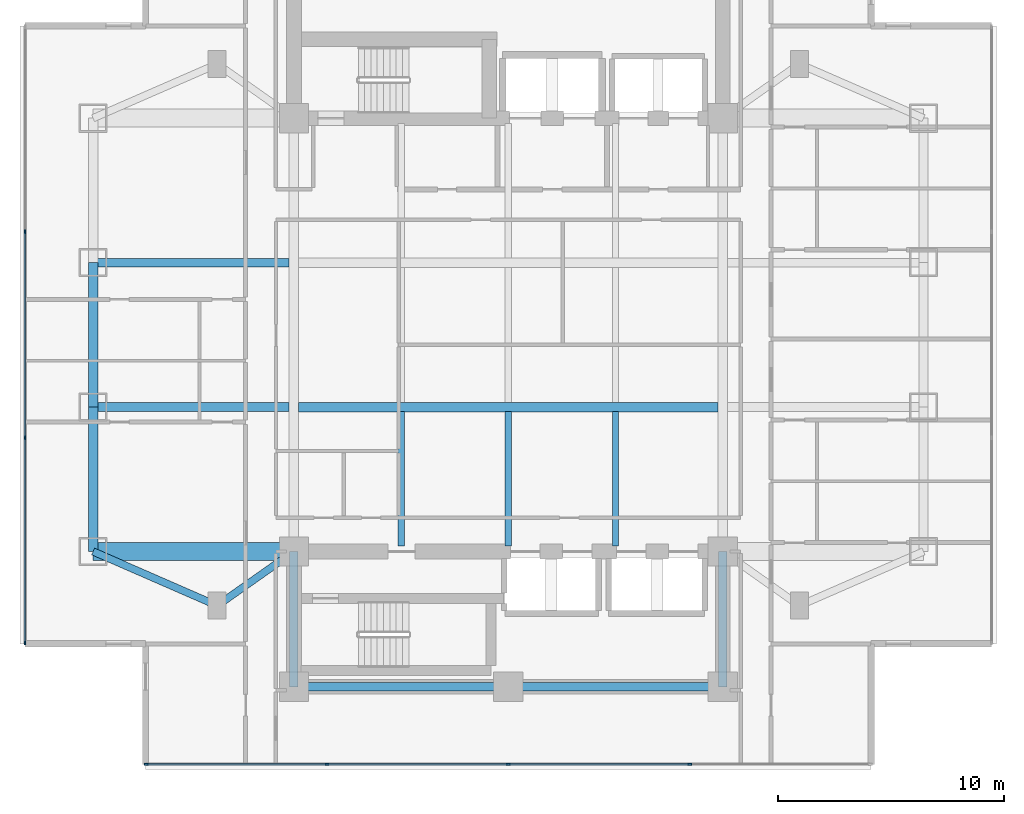
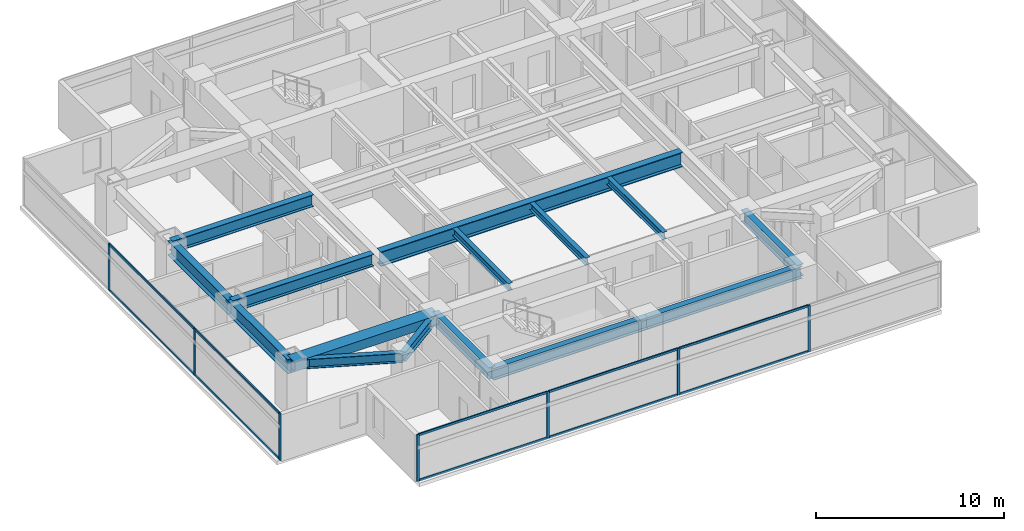
# One storey, part 2 of 24: 17 members, 15 beams, 2 elements without a shape of their own.
"""IFC4 building model written with IfcOpenShell, lengths in metres."""

from ifc_helpers import new_model, si_unit, direction, frame, origin, origin_2d, place, context, subcontext, project, spatial, rectangle, i_section, extrude, material, material_profile, profile_set, type_object, element, aggregate, save


model = new_model("IFC4")

# Units and contexts
model_context = context("Model", 3, precision=1e-05, world=origin(), true_north=direction((0.0, 1.0)))
body_context = subcontext(model_context, "Body", "Model", "MODEL_VIEW")
ifc_project = project(units=[si_unit("LENGTHUNIT", "METRE"), si_unit("AREAUNIT", "SQUARE_METRE"), si_unit("VOLUMEUNIT", "CUBIC_METRE"), si_unit("PLANEANGLEUNIT", "RADIAN"), si_unit("MASSUNIT", "GRAM", prefix="KILO")], contexts=[model_context])

# Site, building, storey
site_placement = place(None, origin())
site = spatial("IfcSite", under=ifc_project, at=site_placement, CompositionType="ELEMENT")
building_placement = place(site_placement, origin())
building = spatial("IfcBuilding", under=site, at=building_placement, Name="Mirazonda Arch Towers", CompositionType="ELEMENT")
storey_placement = place(building_placement, frame((0.0, 0.0, 62.0)))
storey = spatial("IfcBuildingStorey", under=building, at=storey_placement, Name="L17", CompositionType="ELEMENT", Elevation=62.0)

# Beams
ifc_material_1 = material(Name="Steel ASTM A992 Grade 50", Category="steel")
ifc_material_profile_1 = material_profile(ifc_material_1, i_section(OverallWidth=0.41796875, OverallDepth=0.927001953125, WebThickness=0.019287109375, FlangeThickness=0.031982421875, at=origin_2d()), Name="W36X231")
ifc_profile_set_1 = profile_set([ifc_material_profile_1], Name="Steel ASTM A992 Grade 50")
beam_type_1 = type_object("IfcBeamType", Name="BM-EXT-W36X231", PredefinedType="USERDEFINED", material=ifc_profile_set_1)
beam_1_placement = place(storey_placement, frame((2.10009765625, 18.39990234375, 2.596435546875), z_axis=(0.0, 1.0, 0.0), x_axis=(-1.0, 0.0, 0.0)))
element("IfcBeam", 1, at=beam_1_placement, inside=storey, type_object=beam_type_1, Name="L17 Floor Beam BM-T1-L17-NS-W-18", ObjectType="GIRDER", PredefinedType="USERDEFINED", context=body_context, shape_type="SweptSolid", body=[
    extrude(i_section(OverallWidth=0.41796875, OverallDepth=0.927001953125, WebThickness=0.019287109375, FlangeThickness=0.031982421875, at=origin_2d()), origin(), (0.0, 0.0, 1.0), 6.400146484375),
])
beam_2_placement = place(storey_placement, frame((2.10009765625, 24.800048828125, 2.596435546875), z_axis=(0.0, 1.0, 0.0), x_axis=(-1.0, 0.0, 0.0)))
element("IfcBeam", 2, at=beam_2_placement, inside=storey, type_object=beam_type_1, Name="L17 Floor Beam BM-T1-L17-NS-W-24", ObjectType="GIRDER", PredefinedType="USERDEFINED", context=body_context, shape_type="SweptSolid", body=[
    extrude(i_section(OverallWidth=0.41796875, OverallDepth=0.927001953125, WebThickness=0.019287109375, FlangeThickness=0.031982421875, at=origin_2d()), origin(), (0.0, 0.0, 1.0), 6.39990234375),
])
ifc_material_profile_2 = material_profile(ifc_material_1, i_section(OverallWidth=0.280029296875, OverallDepth=0.462890625, WebThickness=0.0107421875, FlangeThickness=0.017333984375, at=origin_2d()), Name="W18X76")
ifc_profile_set_2 = profile_set([ifc_material_profile_2], Name="Steel ASTM A992 Grade 50")
beam_type_2 = type_object("IfcBeamType", Name="BM-INT-W18X76", PredefinedType="JOIST", material=ifc_profile_set_2)
for number, where, z_axis, x_axis, name in (
    (3, (15.75, 18.639892578125, 2.82861328125), (0.0, 1.0, 0.0), (-1.0, 0.0, 0.0), "L17 Floor Beam BM-T1-L17-J-157-18"),
    (4, (20.5, 18.639892578125, 2.82861328125), (0.0, 1.0, 0.0), (-1.0, 0.0, 0.0), "L17 Floor Beam BM-T1-L17-J-205-18"),
    (5, (25.25, 18.639892578125, 2.82861328125), (0.0, 1.0, 0.0), (-1.0, 0.0, 0.0), "L17 Floor Beam BM-T1-L17-J-252-18"),
):
    element("IfcBeam", number, at=place(storey_placement, frame(where, z_axis=z_axis, x_axis=x_axis)), inside=storey, type_object=beam_type_2, Name=name, PredefinedType="JOIST", context=body_context, shape_type="SweptSolid", body=[
        extrude(i_section(OverallWidth=0.280029296875, OverallDepth=0.462890625, WebThickness=0.0107421875, FlangeThickness=0.017333984375, at=origin_2d()), origin(), (0.0, 0.0, 1.0), 5.95263671875),
    ])
ifc_material_profile_3 = material_profile(ifc_material_1, i_section(OverallWidth=0.324951171875, OverallDepth=0.615966796875, WebThickness=0.013916015625, FlangeThickness=0.021484375, at=origin_2d()), Name="W24X117")
ifc_profile_set_3 = profile_set([ifc_material_profile_3], Name="Steel ASTM A992 Grade 50")
beam_type_3 = type_object("IfcBeamType", Name="BM-INT-W24X117", PredefinedType="BEAM", material=ifc_profile_set_3)
beam_3_placement = place(storey_placement, frame((7.60009765625, 16.0, 2.751953125), z_axis=(0.816971114901, 0.576678591087, 0.0), x_axis=(-0.576678591087, 0.816971114901, 0.0)))
element("IfcBeam", 6, at=beam_3_placement, inside=storey, type_object=beam_type_3, Name="L17 Floor Beam BM-T1-L17-PL-SW1", PredefinedType="BEAM", context=body_context, shape_type="SweptSolid", body=[
    extrude(i_section(OverallWidth=0.324951171875, OverallDepth=0.615966796875, WebThickness=0.013916015625, FlangeThickness=0.021484375, at=origin_2d()), origin(), (0.0, 0.0, 1.0), 4.16162109375),
])
beam_4_placement = place(storey_placement, frame((7.60009765625, 16.0, 2.751953125), z_axis=(-0.916545343703, 0.399930785183, 0.0), x_axis=(-0.399930785183, -0.916545343703, 0.0)))
element("IfcBeam", 7, at=beam_4_placement, inside=storey, type_object=beam_type_3, Name="L17 Floor Beam BM-T1-L17-PL-SW2", PredefinedType="BEAM", context=body_context, shape_type="SweptSolid", body=[
    extrude(i_section(OverallWidth=0.324951171875, OverallDepth=0.615966796875, WebThickness=0.013916015625, FlangeThickness=0.021484375, at=origin_2d()), origin(), (0.0, 0.0, 1.0), 6.000732421875),
])
ifc_material_profile_4 = material_profile(ifc_material_1, i_section(OverallWidth=0.381103515625, OverallDepth=0.77294921875, WebThickness=0.0166015625, FlangeThickness=0.027099609375, at=origin_2d()), Name="W30X173")
ifc_profile_set_4 = profile_set([ifc_material_profile_4], Name="Steel ASTM A992 Grade 50")
beam_type_4 = type_object("IfcBeamType", Name="BM-INT-W30X173", PredefinedType="USERDEFINED", material=ifc_profile_set_4)
for number, where, z_axis, x_axis, name in (
    (8, (2.10009765625, 24.800048828125, 2.673583984375), (1.0, 0.0, 0.0), (0.0, 1.0, 0.0), "L17 Floor Beam BM-T1-L17-GW2"),
    (9, (2.10009765625, 31.199951171875, 2.673583984375), (1.0, 0.0, 0.0), (0.0, 1.0, 0.0), "L17 Floor Beam BM-T1-L17-GW3"),
):
    element("IfcBeam", number, at=place(storey_placement, frame(where, z_axis=z_axis, x_axis=x_axis)), inside=storey, type_object=beam_type_4, Name=name, ObjectType="GIRDER", PredefinedType="USERDEFINED", context=body_context, shape_type="SweptSolid", body=[
        extrude(i_section(OverallWidth=0.381103515625, OverallDepth=0.77294921875, WebThickness=0.0166015625, FlangeThickness=0.027099609375, at=origin_2d()), origin(), (0.0, 0.0, 1.0), 8.6884765625),
    ])
for number, where, z_axis, x_axis, name in (
    (10, (11.0, 12.39990234375, 2.673583984375), (1.0, 0.0, 0.0), (0.0, 1.0, 0.0), "L17 Floor Beam BM-T1-L17-CS1"),
    (11, (20.5, 12.39990234375, 2.673583984375), (1.0, 0.0, 0.0), (0.0, 1.0, 0.0), "L17 Floor Beam BM-T1-L17-CS2"),
):
    element("IfcBeam", number, at=place(storey_placement, frame(where, z_axis=z_axis, x_axis=x_axis)), inside=storey, type_object=beam_type_4, Name=name, ObjectType="GIRDER", PredefinedType="USERDEFINED", context=body_context, shape_type="SweptSolid", body=[
        extrude(i_section(OverallWidth=0.381103515625, OverallDepth=0.77294921875, WebThickness=0.0166015625, FlangeThickness=0.027099609375, at=origin_2d()), origin(), (0.0, 0.0, 1.0), 9.5),
    ])
for number, where, z_axis, x_axis, name in (
    (12, (11.0, 12.39990234375, 2.673583984375), (0.0, 1.0, 0.0), (-1.0, 0.0, 0.0), "L17 Floor Beam BM-T1-L17-CSW"),
    (13, (30.0, 12.39990234375, 2.673583984375), (0.0, 1.0, 0.0), (-1.0, 0.0, 0.0), "L17 Floor Beam BM-T1-L17-CSE"),
):
    element("IfcBeam", number, at=place(storey_placement, frame(where, z_axis=z_axis, x_axis=x_axis)), inside=storey, type_object=beam_type_4, Name=name, ObjectType="GIRDER", PredefinedType="USERDEFINED", context=body_context, shape_type="SweptSolid", body=[
        extrude(i_section(OverallWidth=0.381103515625, OverallDepth=0.77294921875, WebThickness=0.0166015625, FlangeThickness=0.027099609375, at=origin_2d()), origin(), (0.0, 0.0, 1.0), 6.0),
    ])
ifc_material_profile_5 = material_profile(ifc_material_1, i_section(OverallWidth=0.423095703125, OverallDepth=0.947998046875, WebThickness=0.02392578125, FlangeThickness=0.042724609375, at=origin_2d()), Name="W36X302")
ifc_profile_set_5 = profile_set([ifc_material_profile_5], Name="Steel ASTM A992 Grade 50")
beam_type_5 = type_object("IfcBeamType", Name="BM-INT-W36X302", PredefinedType="USERDEFINED", material=ifc_profile_set_5)
beam_5_placement = place(storey_placement, frame((11.21142578125, 24.800048828125, 2.5859375), z_axis=(1.0, 0.0, 0.0), x_axis=(0.0, 1.0, 0.0)))
element("IfcBeam", 14, at=beam_5_placement, inside=storey, type_object=beam_type_5, Name="L17 Floor Beam BM-T1-L17-GC2", ObjectType="GIRDER", PredefinedType="USERDEFINED", context=body_context, shape_type="SweptSolid", body=[
    extrude(i_section(OverallWidth=0.423095703125, OverallDepth=0.947998046875, WebThickness=0.02392578125, FlangeThickness=0.042724609375, at=origin_2d()), origin(), (0.0, 0.0, 1.0), 18.5771484375),
])
ifc_material_2 = material(Name="Concrete C60/75", Category="concrete")
ifc_material_profile_6 = material_profile(ifc_material_2, rectangle(XDim=0.800048828125, YDim=0.60009765625, at=origin_2d()), Name="RCCB800x600")
ifc_profile_set_6 = profile_set([ifc_material_profile_6], Name="Concrete C60/75")
beam_type_6 = type_object("IfcBeamType", Name="CB-INT-RCCB800x600", PredefinedType="SPANDREL", material=ifc_profile_set_6)
beam_6_placement = place(storey_placement, frame((2.10009765625, 18.39990234375, 2.760009765625), z_axis=(1.0, 0.0, 0.0), x_axis=(0.0, 1.0, 0.0)))
element("IfcBeam", 15, at=beam_6_placement, inside=storey, type_object=beam_type_6, Name="L17 Floor Beam CBC-T1-L17-SW", PredefinedType="SPANDREL", context=body_context, shape_type="SweptSolid", body=[
    extrude(rectangle(XDim=0.800048828125, YDim=0.60009765625, at=origin_2d()), origin(), (0.0, 0.0, 1.0), 8.89990234375),
])

# Curtain wall, members
ifc_material_3 = material(Name="Anodised Aluminium and Low-E Glass", Category="aluminium")
curtain_wall_type = type_object("IfcCurtainWallType", Name="CW-HTL-UNIT", PredefinedType="NOTDEFINED", material=ifc_material_3)
curtain_wall_1_placement = place(storey_placement, origin())
curtain_wall_1 = element("IfcCurtainWall", 16, at=curtain_wall_1_placement, inside=storey, type_object=curtain_wall_type, Name="L17 T1 S Facade CW-L17-T1-S", PredefinedType="NOTDEFINED")
ifc_material_4 = material(Name="Anodised Aluminium Alloy", Category="aluminium")
ifc_material_profile_7 = material_profile(ifc_material_4, rectangle(XDim=0.074951171875, YDim=0.1650390625, at=origin_2d()), Name="ALU-MULL-75x165")
ifc_profile_set_7 = profile_set([ifc_material_profile_7], Name="Anodised Aluminium Alloy")
member_type_1 = type_object("IfcMemberType", Name="MULL-CW-HTL-UNIT", PredefinedType="MULLION", material=ifc_profile_set_7)
member_1_placement = place(storey_placement, frame((28.5400390625, 8.966064453125, 0.0), z_axis=(0.0, 0.0, 1.0), x_axis=(0.0, -1.0, 0.0)))
member_1 = element("IfcMember", 17, at=member_1_placement, type_object=member_type_1, Name="CW-112 mullion 2", PredefinedType="MULLION", context=body_context, shape_type="SweptSolid", body=[
    extrude(rectangle(XDim=0.074951171875, YDim=0.1650390625, at=origin_2d()), origin(), (0.0, 0.0, 1.0), 3.0400390625),
])
member_2_placement = place(storey_placement, frame((20.5, 8.966064453125, 0.0), z_axis=(0.0, 0.0, 1.0), x_axis=(0.0, -1.0, 0.0)))
member_2 = element("IfcMember", 18, at=member_2_placement, type_object=member_type_1, Name="CW-112 mullion 3", PredefinedType="MULLION", context=body_context, shape_type="SweptSolid", body=[
    extrude(rectangle(XDim=0.074951171875, YDim=0.1650390625, at=origin_2d()), origin(), (0.0, 0.0, 1.0), 3.0400390625),
])
member_3_placement = place(storey_placement, frame((12.4599609375, 8.966064453125, 0.0), z_axis=(0.0, 0.0, 1.0), x_axis=(0.0, -1.0, 0.0)))
member_3 = element("IfcMember", 19, at=member_3_placement, type_object=member_type_1, Name="CW-112 mullion 4", PredefinedType="MULLION", context=body_context, shape_type="SweptSolid", body=[
    extrude(rectangle(XDim=0.074951171875, YDim=0.1650390625, at=origin_2d()), origin(), (0.0, 0.0, 1.0), 3.0400390625),
])
member_4_placement = place(storey_placement, frame((4.45751953125, 8.966064453125, 0.0), z_axis=(0.0, 0.0, 1.0), x_axis=(0.0, -1.0, 0.0)))
member_4 = element("IfcMember", 20, at=member_4_placement, type_object=member_type_1, Name="CW-112 mullion 5", PredefinedType="MULLION", context=body_context, shape_type="SweptSolid", body=[
    extrude(rectangle(XDim=0.074951171875, YDim=0.1650390625, at=origin_2d()), origin(), (0.0, 0.0, 1.0), 3.0400390625),
])

curtain_wall_2_placement = place(storey_placement, origin())
curtain_wall_2 = element("IfcCurtainWall", 21, at=curtain_wall_2_placement, inside=storey, type_object=curtain_wall_type, Name="L17 T1 W Facade CW-L17-T1-W", PredefinedType="NOTDEFINED")
member_5_placement = place(storey_placement, frame((-0.919921875, 32.564697265625, 0.0), z_axis=(0.0, 0.0, 1.0), x_axis=(1.0, 0.0, 0.0)))
member_5 = element("IfcMember", 22, at=member_5_placement, type_object=member_type_1, Name="CW-112 mullion 2", PredefinedType="MULLION", context=body_context, shape_type="SweptSolid", body=[
    extrude(rectangle(XDim=0.074951171875, YDim=0.1650390625, at=origin_2d()), origin(), (0.0, 0.0, 1.0), 3.0400390625),
])
member_6_placement = place(storey_placement, frame((-0.919921875, 23.435302734375, 0.0), z_axis=(0.0, 0.0, 1.0), x_axis=(1.0, 0.0, 0.0)))
member_6 = element("IfcMember", 23, at=member_6_placement, type_object=member_type_1, Name="CW-112 mullion 3", PredefinedType="MULLION", context=body_context, shape_type="SweptSolid", body=[
    extrude(rectangle(XDim=0.074951171875, YDim=0.1650390625, at=origin_2d()), origin(), (0.0, 0.0, 1.0), 3.0400390625),
])
member_7_placement = place(storey_placement, frame((-0.919921875, 14.343505859375, 0.0), z_axis=(0.0, 0.0, 1.0), x_axis=(1.0, 0.0, 0.0)))
member_7 = element("IfcMember", 24, at=member_7_placement, type_object=member_type_1, Name="CW-112 mullion 4", PredefinedType="MULLION", context=body_context, shape_type="SweptSolid", body=[
    extrude(rectangle(XDim=0.074951171875, YDim=0.1650390625, at=origin_2d()), origin(), (0.0, 0.0, 1.0), 3.0400390625),
])

# Member
ifc_material_profile_8 = material_profile(ifc_material_4, rectangle(XDim=0.074951171875, YDim=0.14501953125, at=origin_2d()), Name="ALU-TRAN-75x145")
ifc_profile_set_8 = profile_set([ifc_material_profile_8], Name="Anodised Aluminium Alloy")
member_type_2 = type_object("IfcMemberType", Name="TRAN-CW-HTL-UNIT", PredefinedType="USERDEFINED", material=ifc_profile_set_8)
member_8_placement = place(storey_placement, frame((28.50244140625, 8.966064453125, 0.03759765625), z_axis=(-1.0, 0.0, 0.0), x_axis=(0.0, -1.0, 0.0)))
member_8 = element("IfcMember", 25, at=member_8_placement, type_object=member_type_2, Name="CW-112 transom 2.1", ObjectType="TRANSOM", PredefinedType="USERDEFINED", context=body_context, shape_type="SweptSolid", body=[
    extrude(rectangle(XDim=0.074951171875, YDim=0.14501953125, at=origin_2d()), origin(), (0.0, 0.0, 1.0), 7.96484375),
])

member_9_placement = place(storey_placement, frame((28.50244140625, 8.966064453125, 3.00244140625), z_axis=(-1.0, 0.0, 0.0), x_axis=(0.0, -1.0, 0.0)))
member_9 = element("IfcMember", 26, at=member_9_placement, type_object=member_type_2, Name="CW-112 transom 2.2", ObjectType="TRANSOM", PredefinedType="USERDEFINED", context=body_context, shape_type="SweptSolid", body=[
    extrude(rectangle(XDim=0.074951171875, YDim=0.14501953125, at=origin_2d()), origin(), (0.0, 0.0, 1.0), 7.96484375),
])

member_10_placement = place(storey_placement, frame((20.46240234375, 8.966064453125, 0.03759765625), z_axis=(-1.0, 0.0, 0.0), x_axis=(0.0, -1.0, 0.0)))
member_10 = element("IfcMember", 27, at=member_10_placement, type_object=member_type_2, Name="CW-112 transom 3.1", ObjectType="TRANSOM", PredefinedType="USERDEFINED", context=body_context, shape_type="SweptSolid", body=[
    extrude(rectangle(XDim=0.074951171875, YDim=0.14501953125, at=origin_2d()), origin(), (0.0, 0.0, 1.0), 7.96484375),
])

member_11_placement = place(storey_placement, frame((20.46240234375, 8.966064453125, 3.00244140625), z_axis=(-1.0, 0.0, 0.0), x_axis=(0.0, -1.0, 0.0)))
member_11 = element("IfcMember", 28, at=member_11_placement, type_object=member_type_2, Name="CW-112 transom 3.2", ObjectType="TRANSOM", PredefinedType="USERDEFINED", context=body_context, shape_type="SweptSolid", body=[
    extrude(rectangle(XDim=0.074951171875, YDim=0.14501953125, at=origin_2d()), origin(), (0.0, 0.0, 1.0), 7.96484375),
])

member_12_placement = place(storey_placement, frame((12.422607421875, 8.966064453125, 0.03759765625), z_axis=(-1.0, 0.0, 0.0), x_axis=(0.0, -1.0, 0.0)))
member_12 = element("IfcMember", 29, at=member_12_placement, type_object=member_type_2, Name="CW-112 transom 4.1", ObjectType="TRANSOM", PredefinedType="USERDEFINED", context=body_context, shape_type="SweptSolid", body=[
    extrude(rectangle(XDim=0.074951171875, YDim=0.14501953125, at=origin_2d()), origin(), (0.0, 0.0, 1.0), 7.927490234375),
])

member_13_placement = place(storey_placement, frame((12.422607421875, 8.966064453125, 3.00244140625), z_axis=(-1.0, 0.0, 0.0), x_axis=(0.0, -1.0, 0.0)))
member_13 = element("IfcMember", 30, at=member_13_placement, type_object=member_type_2, Name="CW-112 transom 4.2", ObjectType="TRANSOM", PredefinedType="USERDEFINED", context=body_context, shape_type="SweptSolid", body=[
    extrude(rectangle(XDim=0.074951171875, YDim=0.14501953125, at=origin_2d()), origin(), (0.0, 0.0, 1.0), 7.927490234375),
])

aggregate(curtain_wall_1, [member_1, member_2, member_3, member_4, member_8, member_9, member_10, member_11, member_12, member_13])

member_14_placement = place(storey_placement, frame((-0.919921875, 32.527099609375, 0.03759765625), z_axis=(0.0, -1.0, 0.0), x_axis=(1.0, 0.0, 0.0)))
member_14 = element("IfcMember", 31, at=member_14_placement, type_object=member_type_2, Name="CW-112 transom 2.1", ObjectType="TRANSOM", PredefinedType="USERDEFINED", context=body_context, shape_type="SweptSolid", body=[
    extrude(rectangle(XDim=0.074951171875, YDim=0.14501953125, at=origin_2d()), origin(), (0.0, 0.0, 1.0), 9.05419921875),
])

member_15_placement = place(storey_placement, frame((-0.919921875, 32.527099609375, 3.00244140625), z_axis=(0.0, -1.0, 0.0), x_axis=(1.0, 0.0, 0.0)))
member_15 = element("IfcMember", 32, at=member_15_placement, type_object=member_type_2, Name="CW-112 transom 2.2", ObjectType="TRANSOM", PredefinedType="USERDEFINED", context=body_context, shape_type="SweptSolid", body=[
    extrude(rectangle(XDim=0.074951171875, YDim=0.14501953125, at=origin_2d()), origin(), (0.0, 0.0, 1.0), 9.05419921875),
])

member_16_placement = place(storey_placement, frame((-0.919921875, 23.39794921875, 0.03759765625), z_axis=(0.0, -1.0, 0.0), x_axis=(1.0, 0.0, 0.0)))
member_16 = element("IfcMember", 33, at=member_16_placement, type_object=member_type_2, Name="CW-112 transom 3.1", ObjectType="TRANSOM", PredefinedType="USERDEFINED", context=body_context, shape_type="SweptSolid", body=[
    extrude(rectangle(XDim=0.074951171875, YDim=0.14501953125, at=origin_2d()), origin(), (0.0, 0.0, 1.0), 9.016845703125),
])

member_17_placement = place(storey_placement, frame((-0.919921875, 23.39794921875, 3.00244140625), z_axis=(0.0, -1.0, 0.0), x_axis=(1.0, 0.0, 0.0)))
member_17 = element("IfcMember", 34, at=member_17_placement, type_object=member_type_2, Name="CW-112 transom 3.2", ObjectType="TRANSOM", PredefinedType="USERDEFINED", context=body_context, shape_type="SweptSolid", body=[
    extrude(rectangle(XDim=0.074951171875, YDim=0.14501953125, at=origin_2d()), origin(), (0.0, 0.0, 1.0), 9.016845703125),
])

aggregate(curtain_wall_2, [member_5, member_6, member_7, member_14, member_15, member_16, member_17])

save(model, "model.ifc")
